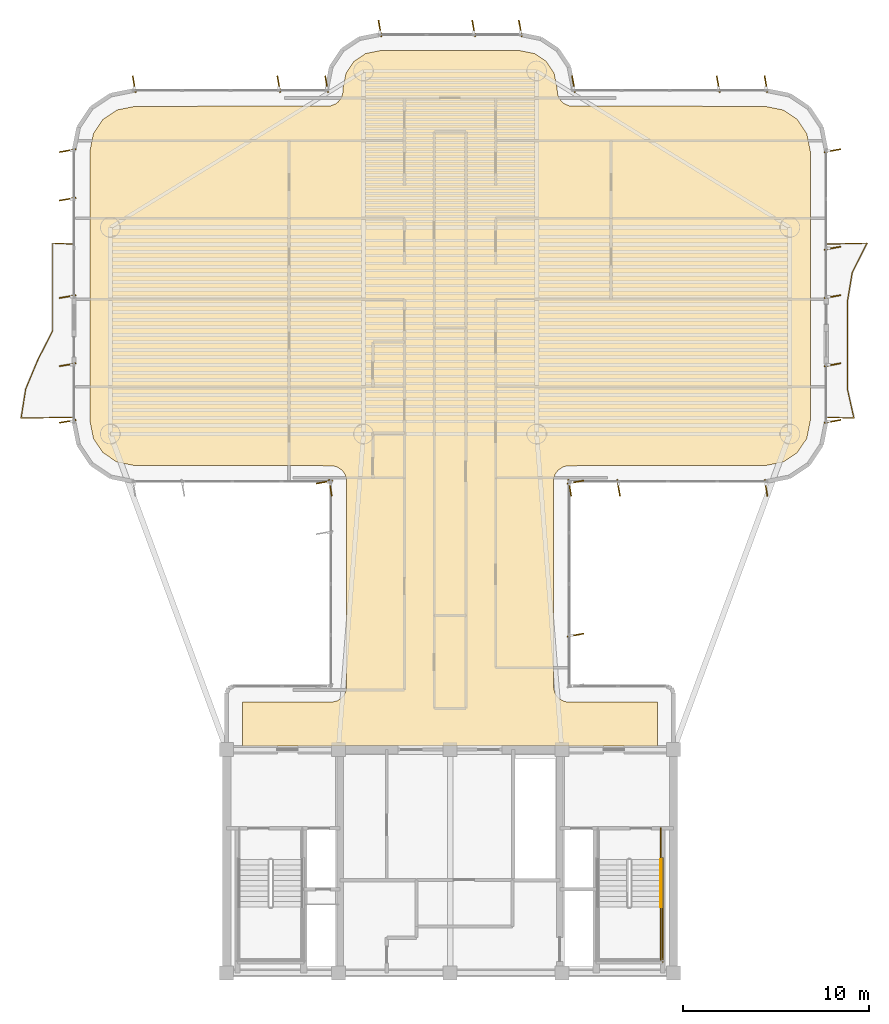
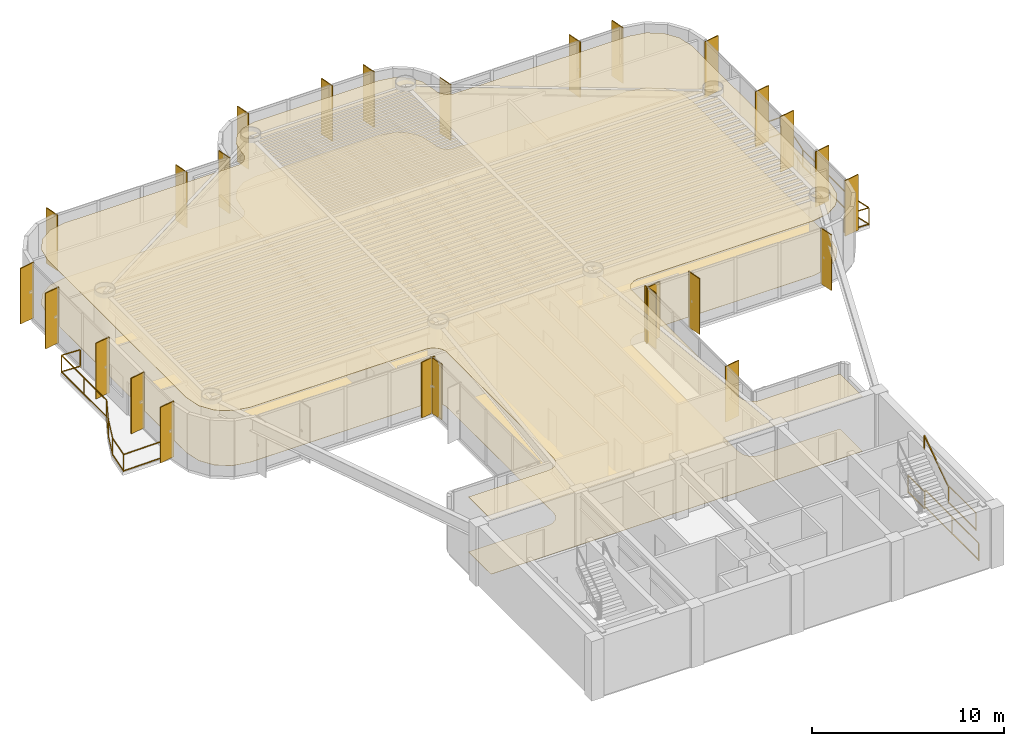
# One storey, part 14 of 14: 26 shading devices, 6 railings, 2 coverings.
"""IFC4 building model written with IfcOpenShell, lengths in metres."""

from ifc_helpers import new_model, si_unit, direction, frame, origin, origin_2d, place, context, subcontext, project, spatial, polyline, rectangle, outline, extrude, source, transform, mapped, material, layer, layer_set, material_profile, profile_set, type_object, element, save


model = new_model("IFC4")

# Units and contexts
model_context = context("Model", 3, precision=1e-05, world=origin(), true_north=direction((0.0, 1.0)))
body_context = subcontext(model_context, "Body", "Model", "MODEL_VIEW")
ifc_project = project(units=[si_unit("LENGTHUNIT", "METRE"), si_unit("AREAUNIT", "SQUARE_METRE"), si_unit("VOLUMEUNIT", "CUBIC_METRE"), si_unit("PLANEANGLEUNIT", "RADIAN"), si_unit("MASSUNIT", "GRAM", prefix="KILO")], contexts=[model_context])

# Site, building, storey
site_placement = place(None, origin())
site = spatial("IfcSite", under=ifc_project, at=site_placement, CompositionType="ELEMENT")
building_placement = place(site_placement, origin())
building = spatial("IfcBuilding", under=site, at=building_placement, Name="Brelvock Crest Care Tower", CompositionType="ELEMENT")
storey_placement = place(building_placement, frame((0.0, 0.0, 201.780029296875)))
storey = spatial("IfcBuildingStorey", under=building, at=storey_placement, Name="L51", CompositionType="ELEMENT", Elevation=201.780029296875)

# Coverings
ifc_material_1 = material(Name="Mineral Fibre Acoustic Ceiling Tile", Category="gypsum")
ifc_layer_1 = layer(ifc_material_1, 0.02490234375, Name="COV-CLG1")
ifc_layer_set_1 = layer_set([ifc_layer_1], Name="Mineral Fibre Acoustic Ceiling Tile")
covering_type_1 = type_object("IfcCoveringType", Name="COV-CLG1", PredefinedType="CEILING", material=ifc_layer_set_1)
covering_1_placement = place(storey_placement, frame((0.0, 0.0, 3.474853515625)))
element("IfcCovering", 1, at=covering_1_placement, inside=storey, type_object=covering_type_1, Name="L51 Acoustic Suspended Ceiling 1", PredefinedType="CEILING", context=body_context, shape_type="SweptSolid", body=[
    extrude(outline(polyline([(24.85009765625, 18.199951171875), (47.14990234375, 18.199951171875), (47.14990234375, 20.550048828125), (42.316650390625, 20.55419921875), (42.1533203125, 20.586669921875), (41.927734375, 20.693359375), (41.742919921875, 20.86083984375), (41.61474609375, 21.07470703125), (41.550048828125, 21.39990234375), (41.56640625, 32.56591796875), (41.650390625, 32.80078125), (41.799072265625, 33.0009765625), (42.07470703125, 33.185302734375), (42.316650390625, 33.245849609375), (52.916259765625, 33.25), (53.892822265625, 33.4443359375), (54.64990234375, 33.9501953125), (55.15576171875, 34.70703125), (55.35009765625, 35.68359375), (55.35009765625, 50.1162109375), (55.15576171875, 51.093017578125), (54.64990234375, 51.849853515625), (53.892822265625, 52.355712890625), (52.916259765625, 52.550048828125), (42.43408203125, 52.56640625), (42.127685546875, 52.693359375), (41.9990234375, 52.799072265625), (41.850341796875, 52.999267578125), (41.766357421875, 53.234130859375), (41.75, 53.516357421875), (41.586181640625, 54.33984375), (41.1669921875, 54.967041015625), (40.539794921875, 55.38623046875), (39.71630859375, 55.550048828125), (32.28369140625, 55.550048828125), (31.460205078125, 55.38623046875), (30.8330078125, 54.967041015625), (30.413818359375, 54.33984375), (30.25, 53.516357421875), (30.233642578125, 53.234130859375), (30.149658203125, 52.999267578125), (30.0009765625, 52.799072265625), (29.872314453125, 52.693359375), (29.56591796875, 52.56640625), (19.083740234375, 52.550048828125), (18.107177734375, 52.355712890625), (17.35009765625, 51.849853515625), (16.84423828125, 51.093017578125), (16.64990234375, 50.1162109375), (16.64990234375, 35.68359375), (16.84423828125, 34.70703125), (17.35009765625, 33.9501953125), (18.107177734375, 33.4443359375), (19.083740234375, 33.25), (29.683349609375, 33.245849609375), (29.92529296875, 33.185302734375), (30.200927734375, 33.0009765625), (30.349609375, 32.80078125), (30.43359375, 32.56591796875), (30.449951171875, 21.39990234375), (30.38525390625, 21.07470703125), (30.257080078125, 20.86083984375), (30.13916015625, 20.742919921875), (29.92529296875, 20.61474609375), (29.683349609375, 20.55419921875), (24.85009765625, 20.550048828125), (24.85009765625, 18.199951171875)])), origin(), (0.0, 0.0, 1.0), 0.025146484375),
])
ifc_material_2 = material(Name="Slip-Resistant Acoustic Vinyl Flooring", Category="finish")
ifc_layer_2 = layer(ifc_material_2, 0.014892578125, Name="COV-FLR1")
ifc_layer_set_2 = layer_set([ifc_layer_2], Name="Slip-Resistant Acoustic Vinyl Flooring")
covering_type_2 = type_object("IfcCoveringType", Name="COV-FLR1", PredefinedType="FLOORING", material=ifc_layer_set_2)
covering_2_placement = place(storey_placement, origin())
element("IfcCovering", 2, at=covering_2_placement, inside=storey, type_object=covering_type_2, Name="L51 Slip-Resistant Acoustic Flooring 1", PredefinedType="FLOORING", context=body_context, shape_type="SweptSolid", body=[
    extrude(outline(polyline([(24.85009765625, 18.199951171875), (47.14990234375, 18.199951171875), (47.14990234375, 20.550048828125), (42.316650390625, 20.55419921875), (42.1533203125, 20.586669921875), (41.927734375, 20.693359375), (41.742919921875, 20.86083984375), (41.61474609375, 21.07470703125), (41.550048828125, 21.39990234375), (41.56640625, 32.56591796875), (41.650390625, 32.80078125), (41.799072265625, 33.0009765625), (42.07470703125, 33.185302734375), (42.316650390625, 33.245849609375), (52.916259765625, 33.25), (53.892822265625, 33.4443359375), (54.64990234375, 33.9501953125), (55.15576171875, 34.70703125), (55.35009765625, 35.68359375), (55.35009765625, 50.1162109375), (55.15576171875, 51.093017578125), (54.64990234375, 51.849853515625), (53.892822265625, 52.355712890625), (52.916259765625, 52.550048828125), (42.43408203125, 52.56640625), (42.127685546875, 52.693359375), (41.9990234375, 52.799072265625), (41.850341796875, 52.999267578125), (41.766357421875, 53.234130859375), (41.75, 53.516357421875), (41.586181640625, 54.33984375), (41.1669921875, 54.967041015625), (40.539794921875, 55.38623046875), (39.71630859375, 55.550048828125), (32.28369140625, 55.550048828125), (31.460205078125, 55.38623046875), (30.8330078125, 54.967041015625), (30.413818359375, 54.33984375), (30.25, 53.516357421875), (30.233642578125, 53.234130859375), (30.149658203125, 52.999267578125), (30.0009765625, 52.799072265625), (29.872314453125, 52.693359375), (29.56591796875, 52.56640625), (19.083740234375, 52.550048828125), (18.107177734375, 52.355712890625), (17.35009765625, 51.849853515625), (16.84423828125, 51.093017578125), (16.64990234375, 50.1162109375), (16.64990234375, 35.68359375), (16.84423828125, 34.70703125), (17.35009765625, 33.9501953125), (18.107177734375, 33.4443359375), (19.083740234375, 33.25), (29.683349609375, 33.245849609375), (29.92529296875, 33.185302734375), (30.200927734375, 33.0009765625), (30.349609375, 32.80078125), (30.43359375, 32.56591796875), (30.449951171875, 21.39990234375), (30.38525390625, 21.07470703125), (30.257080078125, 20.86083984375), (30.13916015625, 20.742919921875), (29.92529296875, 20.61474609375), (29.683349609375, 20.55419921875), (24.85009765625, 20.550048828125), (24.85009765625, 18.199951171875)])), origin(), (0.0, 0.0, 1.0), 0.014892578125),
])

# Railings
ifc_material_3 = material(Name="Dark Glass Double Glazed Low-E", Category="glass")
ifc_layer_3 = layer(ifc_material_3, 0.06005859375, Name="RL-BAL1")
ifc_layer_set_3 = layer_set([ifc_layer_3], Name="Dark Glass Double Glazed Low-E")
railing_type_1 = type_object("IfcRailingType", Name="RL-BAL1", PredefinedType="BALUSTRADE", material=ifc_layer_set_3)
railing_1_placement = place(storey_placement, frame((15.760009765625, 35.85009765625, 0.00390625)))
element("IfcRailing", 3, at=railing_1_placement, inside=storey, type_object=railing_type_1, Name="L51 Safety Balustrade WB-W", PredefinedType="BALUSTRADE", context=body_context, shape_type="SweptSolid", body=[
    extrude(rectangle(XDim=0.048095703125, YDim=0.048095703125, at=origin_2d()), frame((-0.001953125, 0.0, 1.09619140625), z_axis=(-0.999840293507, -0.017871415134, 0.0), x_axis=(0.017871415134, -0.999840293507, 0.0)), (0.0, 0.0, 1.0), 2.79638671875),
    extrude(rectangle(XDim=0.048095703125, YDim=0.048095703125, at=origin_2d()), frame((-0.001953125, 0.0, 0.054931640625), z_axis=(-0.999840293507, -0.017871415134, 0.0), x_axis=(0.017871415134, -0.999840293507, 0.0)), (0.0, 0.0, 1.0), 2.79638671875),
    extrude(rectangle(XDim=0.048095703125, YDim=0.048095703125, at=origin_2d()), frame((-2.7998046875, -0.048095703125, 1.09619140625), z_axis=(0.156081137103, 0.987744237463, 0.0), x_axis=(-0.987744237463, 0.156081137103, 0.0)), (0.0, 0.0, 1.0), 1.58203125),
    extrude(rectangle(XDim=0.048095703125, YDim=0.048095703125, at=origin_2d()), frame((-2.7998046875, -0.048095703125, 0.054931640625), z_axis=(0.156081137103, 0.987744237463, 0.0), x_axis=(-0.987744237463, 0.156081137103, 0.0)), (0.0, 0.0, 1.0), 1.58203125),
    extrude(rectangle(XDim=0.048095703125, YDim=0.048095703125, at=origin_2d()), frame((-2.5517578125, 1.5185546875, 1.09619140625), z_axis=(0.384155606782, 0.923268362817, 0.0), x_axis=(-0.923268362817, 0.384155606782, 0.0)), (0.0, 0.0, 1.0), 1.69287109375),
    extrude(rectangle(XDim=0.048095703125, YDim=0.048095703125, at=origin_2d()), frame((-2.5517578125, 1.5185546875, 0.054931640625), z_axis=(0.384155606782, 0.923268362817, 0.0), x_axis=(-0.923268362817, 0.384155606782, 0.0)), (0.0, 0.0, 1.0), 1.69287109375),
    extrude(rectangle(XDim=0.048095703125, YDim=0.048095703125, at=origin_2d()), frame((-1.899658203125, 3.0849609375, 1.09619140625), z_axis=(0.455023036608, 0.890479666335, 0.0), x_axis=(-0.890479666335, 0.455023036608, 0.0)), (0.0, 0.0, 1.0), 1.75537109375),
    extrude(rectangle(XDim=0.048095703125, YDim=0.048095703125, at=origin_2d()), frame((-1.899658203125, 3.0849609375, 0.054931640625), z_axis=(0.455023036608, 0.890479666335, 0.0), x_axis=(-0.890479666335, 0.455023036608, 0.0)), (0.0, 0.0, 1.0), 1.75537109375),
    extrude(rectangle(XDim=0.048095703125, YDim=0.048095703125, at=origin_2d()), frame((-1.10009765625, 4.65185546875, 1.09619140625), z_axis=(0.0, 1.0, 0.0), x_axis=(-1.0, 0.0, 0.0)), (0.0, 0.0, 1.0), 4.696044921875),
    extrude(rectangle(XDim=0.048095703125, YDim=0.048095703125, at=origin_2d()), frame((-1.10009765625, 4.65185546875, 0.054931640625), z_axis=(0.0, 1.0, 0.0), x_axis=(-1.0, 0.0, 0.0)), (0.0, 0.0, 1.0), 4.696044921875),
    extrude(rectangle(XDim=0.048095703125, YDim=0.048095703125, at=origin_2d()), frame((-1.09814453125, 9.349853515625, 1.09619140625), z_axis=(0.998966710972, -0.045447886318, 0.0), x_axis=(0.045447886318, 0.998966710972, 0.0)), (0.0, 0.0, 1.0), 1.09716796875),
    extrude(rectangle(XDim=0.048095703125, YDim=0.048095703125, at=origin_2d()), frame((-1.09814453125, 9.349853515625, 0.054931640625), z_axis=(0.998966710972, -0.045447886318, 0.0), x_axis=(0.045447886318, 0.998966710972, 0.0)), (0.0, 0.0, 1.0), 1.09716796875),
    extrude(rectangle(XDim=0.0419921875, YDim=0.0419921875, at=origin_2d()), origin(), (0.0, 0.0, 1.0), 1.070068359375),
    extrude(rectangle(XDim=0.0419921875, YDim=0.0419921875, at=origin_2d()), frame((-2.800048828125, -0.050048828125, 0.0)), (0.0, 0.0, 1.0), 1.070068359375),
    extrude(rectangle(XDim=0.0419921875, YDim=0.0419921875, at=origin_2d()), frame((-2.552490234375, 1.5166015625, 0.0)), (0.0, 0.0, 1.0), 1.070068359375),
    extrude(rectangle(XDim=0.0419921875, YDim=0.0419921875, at=origin_2d()), frame((-1.900634765625, 3.083251953125, 0.0)), (0.0, 0.0, 1.0), 1.070068359375),
    extrude(rectangle(XDim=0.0419921875, YDim=0.0419921875, at=origin_2d()), frame((-1.10009765625, 4.64990234375, 0.0)), (0.0, 0.0, 1.0), 1.070068359375),
    extrude(rectangle(XDim=0.0419921875, YDim=0.0419921875, at=origin_2d()), frame((-1.10009765625, 7.0, 0.0)), (0.0, 0.0, 1.0), 1.070068359375),
    extrude(rectangle(XDim=0.0419921875, YDim=0.0419921875, at=origin_2d()), frame((-1.10009765625, 9.349853515625, 0.0)), (0.0, 0.0, 1.0), 1.070068359375),
    extrude(rectangle(XDim=0.0419921875, YDim=0.0419921875, at=origin_2d()), frame((0.0, 9.2998046875, 0.0)), (0.0, 0.0, 1.0), 1.070068359375),
])
railing_2_placement = place(storey_placement, frame((56.239990234375, 35.85009765625, 0.00390625)))
element("IfcRailing", 4, at=railing_2_placement, inside=storey, type_object=railing_type_1, Name="L51 Safety Balustrade WB-E", PredefinedType="BALUSTRADE", context=body_context, shape_type="SweptSolid", body=[
    extrude(rectangle(XDim=0.048095703125, YDim=0.048095703125, at=origin_2d()), frame((0.001953125, 0.0, 1.09619140625), z_axis=(0.999404799616, -0.034497050669, 0.0), x_axis=(0.034497050669, 0.999404799616, 0.0)), (0.0, 0.0, 1.0), 1.44677734375),
    extrude(rectangle(XDim=0.048095703125, YDim=0.048095703125, at=origin_2d()), frame((0.001953125, 0.0, 0.054931640625), z_axis=(0.999404799616, -0.034497050669, 0.0), x_axis=(0.034497050669, 0.999404799616, 0.0)), (0.0, 0.0, 1.0), 1.44677734375),
    extrude(rectangle(XDim=0.048095703125, YDim=0.048095703125, at=origin_2d()), frame((1.449462890625, -0.048095703125, 1.09619140625), z_axis=(-0.217944869965, 0.97596108204, 0.0), x_axis=(-0.97596108204, -0.217944869965, 0.0)), (0.0, 0.0, 1.0), 1.601318359375),
    extrude(rectangle(XDim=0.048095703125, YDim=0.048095703125, at=origin_2d()), frame((1.449462890625, -0.048095703125, 0.054931640625), z_axis=(-0.217944869965, 0.97596108204, 0.0), x_axis=(-0.97596108204, -0.217944869965, 0.0)), (0.0, 0.0, 1.0), 1.601318359375),
    extrude(rectangle(XDim=0.048095703125, YDim=0.048095703125, at=origin_2d()), frame((1.10009765625, 1.5185546875, 1.09619140625), z_axis=(0.0, 1.0, 0.0), x_axis=(-1.0, 0.0, 0.0)), (0.0, 0.0, 1.0), 4.696044921875),
    extrude(rectangle(XDim=0.048095703125, YDim=0.048095703125, at=origin_2d()), frame((1.10009765625, 1.5185546875, 0.054931640625), z_axis=(0.0, 1.0, 0.0), x_axis=(-1.0, 0.0, 0.0)), (0.0, 0.0, 1.0), 4.696044921875),
    extrude(rectangle(XDim=0.048095703125, YDim=0.048095703125, at=origin_2d()), frame((1.100341796875, 6.218505859375, 1.09619140625), z_axis=(0.164772855008, 0.986331539723, 0.0), x_axis=(-0.986331539723, 0.164772855008, 0.0)), (0.0, 0.0, 1.0), 1.58447265625),
    extrude(rectangle(XDim=0.048095703125, YDim=0.048095703125, at=origin_2d()), frame((1.100341796875, 6.218505859375, 0.054931640625), z_axis=(0.164772855008, 0.986331539723, 0.0), x_axis=(-0.986331539723, 0.164772855008, 0.0)), (0.0, 0.0, 1.0), 1.58447265625),
    extrude(rectangle(XDim=0.048095703125, YDim=0.048095703125, at=origin_2d()), frame((1.36279296875, 7.784912109375, 1.09619140625), z_axis=(0.451933820118, 0.892051468377, 0.0), x_axis=(-0.892051468377, 0.451933820118, 0.0)), (0.0, 0.0, 1.0), 1.752197265625),
    extrude(rectangle(XDim=0.048095703125, YDim=0.048095703125, at=origin_2d()), frame((1.36279296875, 7.784912109375, 0.054931640625), z_axis=(0.451933820118, 0.892051468377, 0.0), x_axis=(-0.892051468377, 0.451933820118, 0.0)), (0.0, 0.0, 1.0), 1.752197265625),
    extrude(rectangle(XDim=0.048095703125, YDim=0.048095703125, at=origin_2d()), frame((2.153564453125, 9.349853515625, 1.09619140625), z_axis=(-0.999730549413, -0.023212681236, 0.0), x_axis=(0.023212681236, -0.999730549413, 0.0)), (0.0, 0.0, 1.0), 2.152099609375),
    extrude(rectangle(XDim=0.048095703125, YDim=0.048095703125, at=origin_2d()), frame((2.153564453125, 9.349853515625, 0.054931640625), z_axis=(-0.999730549413, -0.023212681236, 0.0), x_axis=(0.023212681236, -0.999730549413, 0.0)), (0.0, 0.0, 1.0), 2.152099609375),
    extrude(rectangle(XDim=0.0419921875, YDim=0.0419921875, at=origin_2d()), origin(), (0.0, 0.0, 1.0), 1.070068359375),
    extrude(rectangle(XDim=0.0419921875, YDim=0.0419921875, at=origin_2d()), frame((1.449951171875, -0.050048828125, 0.0)), (0.0, 0.0, 1.0), 1.070068359375),
    extrude(rectangle(XDim=0.0419921875, YDim=0.0419921875, at=origin_2d()), frame((1.10009765625, 1.5166015625, 0.0)), (0.0, 0.0, 1.0), 1.070068359375),
    extrude(rectangle(XDim=0.0419921875, YDim=0.0419921875, at=origin_2d()), frame((1.10009765625, 3.86669921875, 0.0)), (0.0, 0.0, 1.0), 1.070068359375),
    extrude(rectangle(XDim=0.0419921875, YDim=0.0419921875, at=origin_2d()), frame((1.10009765625, 6.216552734375, 0.0)), (0.0, 0.0, 1.0), 1.070068359375),
    extrude(rectangle(XDim=0.0419921875, YDim=0.0419921875, at=origin_2d()), frame((1.36181640625, 7.783203125, 0.0)), (0.0, 0.0, 1.0), 1.070068359375),
    extrude(rectangle(XDim=0.0419921875, YDim=0.0419921875, at=origin_2d()), frame((2.155517578125, 9.349853515625, 0.0)), (0.0, 0.0, 1.0), 1.070068359375),
    extrude(rectangle(XDim=0.0419921875, YDim=0.0419921875, at=origin_2d()), frame((0.0, 9.2998046875, 0.0)), (0.0, 0.0, 1.0), 1.070068359375),
])
ifc_material_4 = material(Name="Steel Grade 350", Category="steel")
ifc_layer_4 = layer(ifc_material_4, 0.050048828125, Name="RL-STG1")
ifc_layer_set_4 = layer_set([ifc_layer_4], Name="Steel Grade 350")
railing_type_2 = type_object("IfcRailingType", Name="RL-STG1", PredefinedType="GUARDRAIL", material=ifc_layer_set_4)
railing_3_placement = place(storey_placement, frame((47.320068359375, 9.56005859375, 1.889892578125)))
element("IfcRailing", 5, at=railing_3_placement, inside=storey, type_object=railing_type_2, Name="L51 ST-2 stair guard 4", PredefinedType="GUARDRAIL", context=body_context, shape_type="SweptSolid", body=[
    extrude(rectangle(XDim=0.048095703125, YDim=0.048095703125, at=origin_2d()), frame((0.0, -0.001953125, 1.11572265625), z_axis=(0.0, -1.0, 0.0), x_axis=(1.0, 0.0, 0.0)), (0.0, 0.0, 1.0), 2.856201171875),
    extrude(rectangle(XDim=0.048095703125, YDim=0.048095703125, at=origin_2d()), frame((0.0, -0.001953125, 0.054931640625), z_axis=(0.0, -1.0, 0.0), x_axis=(1.0, 0.0, 0.0)), (0.0, 0.0, 1.0), 2.856201171875),
    extrude(rectangle(XDim=0.0419921875, YDim=0.0419921875, at=origin_2d()), origin(), (0.0, 0.0, 1.0), 1.08984375),
    extrude(rectangle(XDim=0.0419921875, YDim=0.0419921875, at=origin_2d()), frame((0.0, -2.860107421875, 0.0)), (0.0, 0.0, 1.0), 1.08984375),
])
railing_4_placement = place(storey_placement, frame((47.320068359375, 13.780029296875, 0.0)))
element("IfcRailing", 6, at=railing_4_placement, inside=storey, type_object=railing_type_2, Name="L51 ST-2 stair guard 9", PredefinedType="GUARDRAIL", context=body_context, shape_type="SweptSolid", body=[
    extrude(rectangle(XDim=0.048095703125, YDim=0.048095703125, at=origin_2d()), frame((0.0, -0.001953125, 1.11572265625), z_axis=(0.0, -1.0, 0.0), x_axis=(1.0, 0.0, 0.0)), (0.0, 0.0, 1.0), 1.696044921875),
    extrude(rectangle(XDim=0.048095703125, YDim=0.048095703125, at=origin_2d()), frame((0.0, -0.001953125, 0.054931640625), z_axis=(0.0, -1.0, 0.0), x_axis=(1.0, 0.0, 0.0)), (0.0, 0.0, 1.0), 1.696044921875),
    extrude(rectangle(XDim=0.0419921875, YDim=0.0419921875, at=origin_2d()), origin(), (0.0, 0.0, 1.0), 1.08984375),
    extrude(rectangle(XDim=0.0419921875, YDim=0.0419921875, at=origin_2d()), frame((0.0, -1.699951171875, 0.0)), (0.0, 0.0, 1.0), 1.08984375),
])
railing_5_placement = place(storey_placement, frame((47.419921875, 12.179931640625, 0.0)))
element("IfcRailing", 7, at=railing_5_placement, inside=storey, type_object=railing_type_2, Name="L51 ST-2 stair guard 11", PredefinedType="GUARDRAIL", context=body_context, shape_type="SweptSolid", body=[
    extrude(rectangle(XDim=0.048095703125, YDim=0.048095703125, at=origin_2d()), frame((0.0, -0.001953125, 1.11572265625), z_axis=(0.0, -1.0, 0.0), x_axis=(1.0, 0.0, 0.0)), (0.0, 0.0, 1.0), 5.575927734375),
    extrude(rectangle(XDim=0.048095703125, YDim=0.048095703125, at=origin_2d()), frame((0.0, -0.001953125, 0.054931640625), z_axis=(0.0, -1.0, 0.0), x_axis=(1.0, 0.0, 0.0)), (0.0, 0.0, 1.0), 5.575927734375),
    extrude(rectangle(XDim=0.0419921875, YDim=0.0419921875, at=origin_2d()), origin(), (0.0, 0.0, 1.0), 1.08984375),
    extrude(rectangle(XDim=0.0419921875, YDim=0.0419921875, at=origin_2d()), frame((0.0, -2.7900390625, 0.0)), (0.0, 0.0, 1.0), 1.08984375),
    extrude(rectangle(XDim=0.0419921875, YDim=0.0419921875, at=origin_2d()), frame((0.0, -5.579833984375, 0.0)), (0.0, 0.0, 1.0), 1.08984375),
])
ifc_layer_5 = layer(ifc_material_4, 0.048095703125, Name="RL-STH1")
ifc_layer_set_5 = layer_set([ifc_layer_5], Name="Steel Grade 350")
railing_type_3 = type_object("IfcRailingType", Name="RL-STH1", PredefinedType="HANDRAIL", material=ifc_layer_set_5)
railing_6_placement = place(storey_placement, frame((47.320068359375, 9.56005859375, 2.078857421875)))
element("IfcRailing", 8, at=railing_6_placement, inside=storey, type_object=railing_type_3, Name="L51 ST-2 stair handrail 2", PredefinedType="HANDRAIL", context=body_context, shape_type="SweptSolid", body=[
    extrude(rectangle(XDim=0.048095703125, YDim=0.048095703125, at=origin_2d()), frame((0.0, 0.001708984375, 0.876953125), z_axis=(0.0, 0.82882447046, 0.559508710537), x_axis=(-1.0, 0.0, 0.0)), (0.0, 0.0, 1.0), 3.036376953125),
    extrude(rectangle(XDim=0.0419921875, YDim=0.0419921875, at=origin_2d()), origin(), (0.0, 0.0, 1.0), 0.849853515625),
    extrude(rectangle(XDim=0.0419921875, YDim=0.0419921875, at=origin_2d()), frame((0.0, 2.52001953125, 1.701171875)), (0.0, 0.0, 1.0), 0.849853515625),
])

# Shading devices
ifc_material_5 = material(Name="Aluminium 6063-T6", Category="aluminium")
ifc_material_profile = material_profile(ifc_material_5, rectangle(XDim=0.054931640625, YDim=0.89990234375, at=origin_2d()), Name="FIN55x900")
ifc_profile_set = profile_set([ifc_material_profile], Name="Aluminium 6063-T6")
shading_device_type = type_object("IfcShadingDeviceType", Name="SHD-FIN1", PredefinedType="USERDEFINED", material=ifc_profile_set)
shared_shape = source(origin(), body_context, "Body", "SweptSolid", [
    extrude(rectangle(XDim=0.054931640625, YDim=0.89990234375, at=origin_2d()), origin(), (0.0, 0.0, 1.0), 3.530029296875),
])
for number, where, z_axis, x_axis, name in (
    (9, (29.260009765625, 32.3701171875, 0.0), (0.0, 0.0, 1.0), (-0.173648177667, 0.984807753012, 0.0), "L51 Vertical Sunshade Fin E11-05"),
    (10, (29.570068359375, 32.06005859375, 0.0), (0.0, 0.0, 1.0), (-0.984807753012, -0.173648177667, 0.0), "L51 Vertical Sunshade Fin E12-01"),
    (11, (15.4599609375, 35.6298828125, 0.0), (0.0, 0.0, 1.0), (-0.173648177667, 0.984807753012, 0.0), "L51 Vertical Sunshade Fin E17A-01"),
    (12, (15.4599609375, 38.669921875, 0.0), (0.0, 0.0, 1.0), (-0.173648177667, 0.984807753012, 0.0), "L51 Vertical Sunshade Fin E17A-02"),
    (13, (15.4599609375, 42.330078125, 0.0), (0.0, 0.0, 1.0), (-0.173648177667, 0.984807753012, 0.0), "L51 Vertical Sunshade Fin E17B-01"),
    (14, (15.4599609375, 47.566650390625, 0.0), (0.0, 0.0, 1.0), (-0.173648177667, 0.984807753012, 0.0), "L51 Vertical Sunshade Fin E17B-03"),
    (15, (15.4599609375, 50.169921875, 0.0), (0.0, 0.0, 1.0), (-0.173648177667, 0.984807753012, 0.0), "L51 Vertical Sunshade Fin E17B-04"),
    (16, (19.030029296875, 53.739990234375, 0.0), (0.0, 0.0, 1.0), (0.984807753012, 0.173648177667, 0.0), "L51 Vertical Sunshade Fin E22-01"),
    (17, (26.800048828125, 53.739990234375, 0.0), (0.0, 0.0, 1.0), (0.984807753012, 0.173648177667, 0.0), "L51 Vertical Sunshade Fin E22-04"),
    (18, (29.3701171875, 53.739990234375, 0.0), (0.0, 0.0, 1.0), (0.984807753012, 0.173648177667, 0.0), "L51 Vertical Sunshade Fin E22-05"),
    (19, (32.22998046875, 56.739990234375, 0.0), (0.0, 0.0, 1.0), (0.984807753012, 0.173648177667, 0.0), "L51 Vertical Sunshade Fin E28-01"),
    (20, (37.2666015625, 56.739990234375, 0.0), (0.0, 0.0, 1.0), (0.984807753012, 0.173648177667, 0.0), "L51 Vertical Sunshade Fin E28-03"),
    (21, (39.77001953125, 56.739990234375, 0.0), (0.0, 0.0, 1.0), (0.984807753012, 0.173648177667, 0.0), "L51 Vertical Sunshade Fin E28-04"),
    (22, (42.6298828125, 53.739990234375, 0.0), (0.0, 0.0, 1.0), (0.984807753012, 0.173648177667, 0.0), "L51 Vertical Sunshade Fin E34-01"),
    (23, (50.39990234375, 53.739990234375, 0.0), (0.0, 0.0, 1.0), (0.984807753012, 0.173648177667, 0.0), "L51 Vertical Sunshade Fin E34-04"),
    (24, (52.969970703125, 53.739990234375, 0.0), (0.0, 0.0, 1.0), (0.984807753012, 0.173648177667, 0.0), "L51 Vertical Sunshade Fin E34-05"),
    (25, (56.5400390625, 50.169921875, 0.0), (0.0, 0.0, 1.0), (0.173648177667, -0.984807753012, 0.0), "L51 Vertical Sunshade Fin E39A-01"),
    (26, (56.5400390625, 44.933349609375, 0.0), (0.0, 0.0, 1.0), (0.173648177667, -0.984807753012, 0.0), "L51 Vertical Sunshade Fin E39A-03"),
    (27, (56.5400390625, 42.330078125, 0.0), (0.0, 0.0, 1.0), (0.173648177667, -0.984807753012, 0.0), "L51 Vertical Sunshade Fin E39A-04"),
    (28, (56.5400390625, 38.669921875, 0.0), (0.0, 0.0, 1.0), (0.173648177667, -0.984807753012, 0.0), "L51 Vertical Sunshade Fin E39B-01"),
    (29, (56.5400390625, 35.6298828125, 0.0), (0.0, 0.0, 1.0), (0.173648177667, -0.984807753012, 0.0), "L51 Vertical Sunshade Fin E39B-02"),
    (30, (52.969970703125, 32.06005859375, 0.0), (0.0, 0.0, 1.0), (-0.984807753012, -0.173648177667, 0.0), "L51 Vertical Sunshade Fin E44-01"),
    (31, (45.050048828125, 32.06005859375, 0.0), (0.0, 0.0, 1.0), (-0.984807753012, -0.173648177667, 0.0), "L51 Vertical Sunshade Fin E44-04"),
    (32, (42.429931640625, 32.06005859375, 0.0), (0.0, 0.0, 1.0), (-0.984807753012, -0.173648177667, 0.0), "L51 Vertical Sunshade Fin E44-05"),
    (33, (42.739990234375, 32.3701171875, 0.0), (0.0, 0.0, 1.0), (0.173648177667, -0.984807753012, 0.0), "L51 Vertical Sunshade Fin E45-01"),
    (34, (42.739990234375, 24.14990234375, 0.0), (0.0, 0.0, 1.0), (0.173648177667, -0.984807753012, 0.0), "L51 Vertical Sunshade Fin E45-04"),
):
    element("IfcShadingDevice", number, at=place(storey_placement, frame(where, z_axis=z_axis, x_axis=x_axis)), inside=storey, type_object=shading_device_type, Name=name, ObjectType="FIN", PredefinedType="USERDEFINED", context=body_context, shape_type="MappedRepresentation", body=[
        mapped(shared_shape, transform((0.0, 0.0, 0.0), x_axis=(1.0, 0.0, 0.0), y_axis=(0.0, 1.0, 0.0), z_axis=(0.0, 0.0, 1.0), scale=1.0)),
    ])

save(model, "model.ifc")
